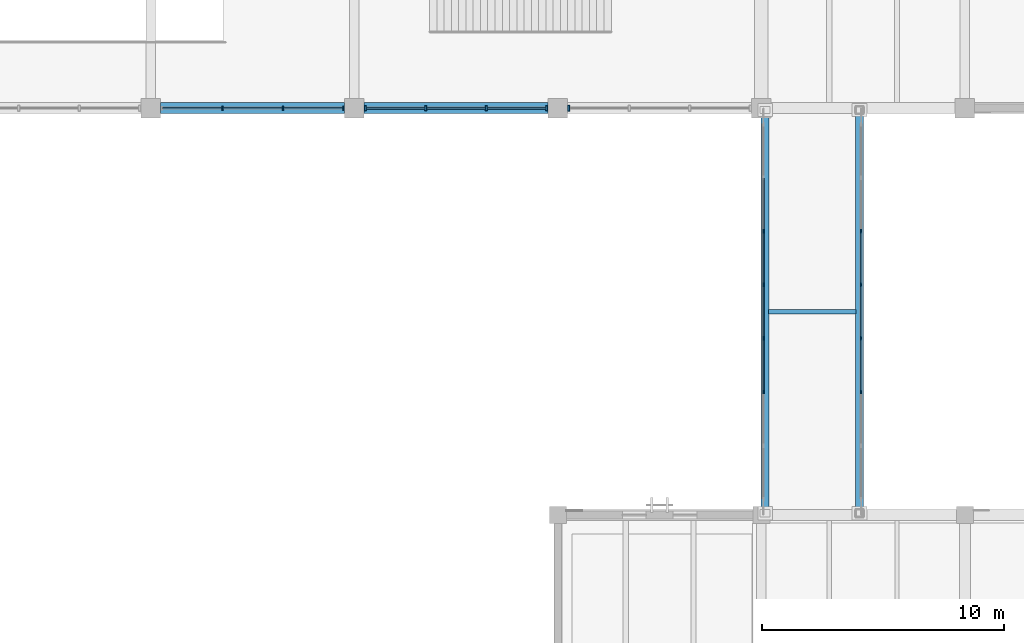
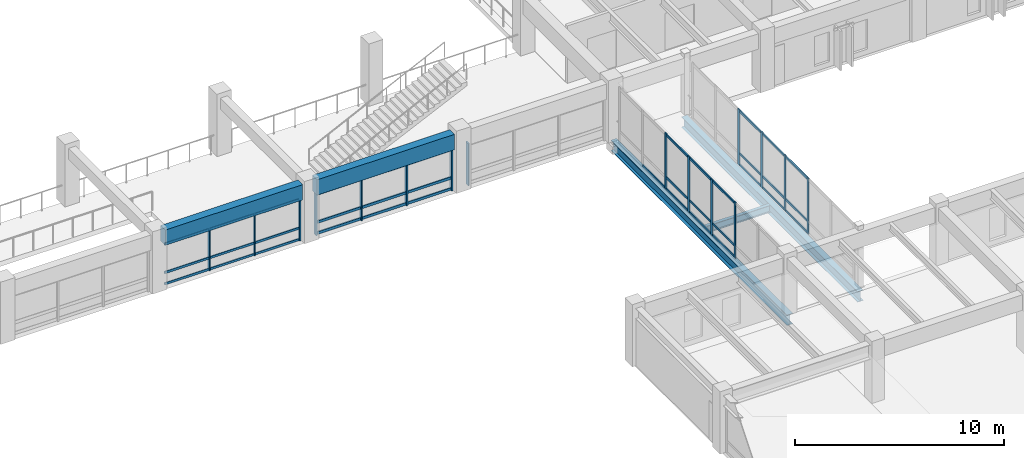
# One storey, part 47 of 118: 53 members, 5 beams, 5 elements without a shape of their own.
"""IFC4 building model written with IfcOpenShell, lengths in metres."""

from ifc_helpers import new_model, si_unit, direction, frame, origin, origin_2d, place, context, subcontext, project, spatial, rectangle, i_section, extrude, material, material_profile, profile_set, type_object, element, aggregate, save


model = new_model("IFC4")

# Units and contexts
model_context = context("Model", 3, precision=1e-05, world=origin(), true_north=direction((0.0, 1.0)))
body_context = subcontext(model_context, "Body", "Model", "MODEL_VIEW")
ifc_project = project(units=[si_unit("LENGTHUNIT", "METRE"), si_unit("AREAUNIT", "SQUARE_METRE"), si_unit("VOLUMEUNIT", "CUBIC_METRE"), si_unit("PLANEANGLEUNIT", "RADIAN"), si_unit("MASSUNIT", "GRAM", prefix="KILO")], contexts=[model_context])

# Site, building, storey
site_placement = place(None, origin())
site = spatial("IfcSite", under=ifc_project, at=site_placement, CompositionType="ELEMENT")
building_placement = place(site_placement, origin())
building = spatial("IfcBuilding", under=site, at=building_placement, Name="Cumbredor Promenade Congress Hotel", CompositionType="ELEMENT")
storey_placement = place(building_placement, frame((0.0, 0.0, 3.919921875)))
storey = spatial("IfcBuildingStorey", under=building, at=storey_placement, Name="L01", CompositionType="ELEMENT", Elevation=3.919921875)

# Beams
ifc_material_1 = material(Name="Steel ASTM A992 Grade 50", Category="steel")
ifc_material_profile_1 = material_profile(ifc_material_1, i_section(OverallWidth=0.323974609375, OverallDepth=0.611083984375, WebThickness=0.0126953125, FlangeThickness=0.01904296875, at=origin_2d()), Name="W24X104")
ifc_profile_set_1 = profile_set([ifc_material_profile_1], Name="Steel ASTM A992 Grade 50")
beam_type_1 = type_object("IfcBeamType", Name="BM-W24X104", PredefinedType="BEAM", material=ifc_profile_set_1)
for number, where, z_axis, x_axis, name in (
    (1, (151.35009765625, 67.159912109375, -0.525390625), (0.0, 1.0, 0.0), (-1.0, 0.0, 0.0), "L01 East Ballroom-to-Forum Glazed Bridge Edge Girder 1"),
    (2, (155.25, 67.159912109375, -0.525390625), (0.0, 1.0, 0.0), (-1.0, 0.0, 0.0), "L01 East Ballroom-to-Forum Glazed Bridge Edge Girder 2"),
):
    element("IfcBeam", number, at=place(storey_placement, frame(where, z_axis=z_axis, x_axis=x_axis)), inside=storey, type_object=beam_type_1, Name=name, PredefinedType="BEAM", context=body_context, shape_type="SweptSolid", body=[
        extrude(i_section(OverallWidth=0.323974609375, OverallDepth=0.611083984375, WebThickness=0.0126953125, FlangeThickness=0.01904296875, at=origin_2d()), origin(), (0.0, 0.0, 1.0), 16.880126953125),
    ])

# Curtain wall, members
ifc_material_2 = material(Name="Thermally broken anodized aluminium and low-E glass", Category="aluminium")
curtain_wall_type_1 = type_object("IfcCurtainWallType", Name="Unitised Forum Curtain Wall CW-02", PredefinedType="NOTDEFINED", material=ifc_material_2)
curtain_wall_1_placement = place(storey_placement, origin())
curtain_wall_1 = element("IfcCurtainWall", 3, at=curtain_wall_1_placement, inside=storey, type_object=curtain_wall_type_1, Name="L01 Pre-Function and Breakout Meeting Forum South Curtain Wall 5", PredefinedType="NOTDEFINED")
ifc_material_3 = material(Name="Thermally broken anodized aluminium", Category="aluminium")
ifc_material_profile_2 = material_profile(ifc_material_3, rectangle(XDim=0.06494140625, YDim=0.159912109375, at=origin_2d()), Name="ALU MULLION 65x160")
ifc_profile_set_2 = profile_set([ifc_material_profile_2], Name="Thermally broken anodized aluminium")
member_type_1 = type_object("IfcMemberType", Name="Curtain Wall Mullion ML-01", PredefinedType="MULLION", material=ifc_profile_set_2)
member_1_placement = place(storey_placement, frame((128.95166015625, 84.0, -0.0078125), z_axis=(0.0, 0.0, 1.0), x_axis=(1.0, 0.0, 0.0)))
member_1 = element("IfcMember", 4, at=member_1_placement, type_object=member_type_1, Name="L01 Pre-Function and Breakout Meeting Forum South Curtain Wall 5 Mullion 2", PredefinedType="MULLION", context=body_context, shape_type="SweptSolid", body=[
    extrude(rectangle(XDim=0.06494140625, YDim=0.159912109375, at=origin_2d()), origin(), (0.0, 0.0, 1.0), 2.4609375),
])
member_2_placement = place(storey_placement, frame((131.4482421875, 84.0, -0.0078125), z_axis=(0.0, 0.0, 1.0), x_axis=(1.0, 0.0, 0.0)))
member_2 = element("IfcMember", 5, at=member_2_placement, type_object=member_type_1, Name="L01 Pre-Function and Breakout Meeting Forum South Curtain Wall 5 Mullion 3", PredefinedType="MULLION", context=body_context, shape_type="SweptSolid", body=[
    extrude(rectangle(XDim=0.06494140625, YDim=0.159912109375, at=origin_2d()), origin(), (0.0, 0.0, 1.0), 2.4609375),
])
member_3_placement = place(storey_placement, frame((133.945068359375, 84.0, -0.0078125), z_axis=(0.0, 0.0, 1.0), x_axis=(1.0, 0.0, 0.0)))
member_3 = element("IfcMember", 6, at=member_3_placement, type_object=member_type_1, Name="L01 Pre-Function and Breakout Meeting Forum South Curtain Wall 5 Mullion 4", PredefinedType="MULLION", context=body_context, shape_type="SweptSolid", body=[
    extrude(rectangle(XDim=0.06494140625, YDim=0.159912109375, at=origin_2d()), origin(), (0.0, 0.0, 1.0), 2.4609375),
])

curtain_wall_type_2 = type_object("IfcCurtainWallType", Name="Unitised Bridge Glazing Screen CW-05", PredefinedType="NOTDEFINED", material=ifc_material_2)
curtain_wall_2_placement = place(storey_placement, origin())
curtain_wall_2 = element("IfcCurtainWall", 7, at=curtain_wall_2_placement, inside=storey, type_object=curtain_wall_type_2, Name="L01 East Ballroom-to-Forum Glazed Bridge West Glazing Screen", PredefinedType="NOTDEFINED")
member_4_placement = place(storey_placement, frame((151.280029296875, 72.282958984375, -0.0078125), z_axis=(0.0, 0.0, 1.0), x_axis=(1.0, 0.0, 0.0)))
member_4 = element("IfcMember", 8, at=member_4_placement, type_object=member_type_1, Name="L01 East Ballroom-to-Forum Glazed Bridge West Glazing Screen Mullion 3", PredefinedType="MULLION", context=body_context, shape_type="SweptSolid", body=[
    extrude(rectangle(XDim=0.06494140625, YDim=0.159912109375, at=origin_2d()), origin(), (0.0, 0.0, 1.0), 3.27587890625),
])
member_5_placement = place(storey_placement, frame((151.280029296875, 74.494384765625, -0.0078125), z_axis=(0.0, 0.0, 1.0), x_axis=(1.0, 0.0, 0.0)))
member_5 = element("IfcMember", 9, at=member_5_placement, type_object=member_type_1, Name="L01 East Ballroom-to-Forum Glazed Bridge West Glazing Screen Mullion 4", PredefinedType="MULLION", context=body_context, shape_type="SweptSolid", body=[
    extrude(rectangle(XDim=0.06494140625, YDim=0.159912109375, at=origin_2d()), origin(), (0.0, 0.0, 1.0), 3.27587890625),
])
member_6_placement = place(storey_placement, frame((151.280029296875, 76.705810546875, -0.0078125), z_axis=(0.0, 0.0, 1.0), x_axis=(1.0, 0.0, 0.0)))
member_6 = element("IfcMember", 10, at=member_6_placement, type_object=member_type_1, Name="L01 East Ballroom-to-Forum Glazed Bridge West Glazing Screen Mullion 5", PredefinedType="MULLION", context=body_context, shape_type="SweptSolid", body=[
    extrude(rectangle(XDim=0.06494140625, YDim=0.159912109375, at=origin_2d()), origin(), (0.0, 0.0, 1.0), 3.27587890625),
])
member_7_placement = place(storey_placement, frame((151.280029296875, 78.9169921875, -0.0078125), z_axis=(0.0, 0.0, 1.0), x_axis=(1.0, 0.0, 0.0)))
member_7 = element("IfcMember", 11, at=member_7_placement, type_object=member_type_1, Name="L01 East Ballroom-to-Forum Glazed Bridge West Glazing Screen Mullion 6", PredefinedType="MULLION", context=body_context, shape_type="SweptSolid", body=[
    extrude(rectangle(XDim=0.06494140625, YDim=0.159912109375, at=origin_2d()), origin(), (0.0, 0.0, 1.0), 3.27587890625),
])

curtain_wall_3_placement = place(storey_placement, origin())
curtain_wall_3 = element("IfcCurtainWall", 12, at=curtain_wall_3_placement, inside=storey, type_object=curtain_wall_type_2, Name="L01 East Ballroom-to-Forum Glazed Bridge East Glazing Screen", PredefinedType="NOTDEFINED")
member_8_placement = place(storey_placement, frame((155.320068359375, 72.282958984375, -0.0078125), z_axis=(0.0, 0.0, 1.0), x_axis=(1.0, 0.0, 0.0)))
member_8 = element("IfcMember", 13, at=member_8_placement, type_object=member_type_1, Name="L01 East Ballroom-to-Forum Glazed Bridge East Glazing Screen Mullion 3", PredefinedType="MULLION", context=body_context, shape_type="SweptSolid", body=[
    extrude(rectangle(XDim=0.06494140625, YDim=0.159912109375, at=origin_2d()), origin(), (0.0, 0.0, 1.0), 3.27587890625),
])
member_9_placement = place(storey_placement, frame((155.320068359375, 74.494384765625, -0.0078125), z_axis=(0.0, 0.0, 1.0), x_axis=(1.0, 0.0, 0.0)))
member_9 = element("IfcMember", 14, at=member_9_placement, type_object=member_type_1, Name="L01 East Ballroom-to-Forum Glazed Bridge East Glazing Screen Mullion 4", PredefinedType="MULLION", context=body_context, shape_type="SweptSolid", body=[
    extrude(rectangle(XDim=0.06494140625, YDim=0.159912109375, at=origin_2d()), origin(), (0.0, 0.0, 1.0), 3.27587890625),
])
member_10_placement = place(storey_placement, frame((155.320068359375, 76.705810546875, -0.0078125), z_axis=(0.0, 0.0, 1.0), x_axis=(1.0, 0.0, 0.0)))
member_10 = element("IfcMember", 15, at=member_10_placement, type_object=member_type_1, Name="L01 East Ballroom-to-Forum Glazed Bridge East Glazing Screen Mullion 5", PredefinedType="MULLION", context=body_context, shape_type="SweptSolid", body=[
    extrude(rectangle(XDim=0.06494140625, YDim=0.159912109375, at=origin_2d()), origin(), (0.0, 0.0, 1.0), 3.27587890625),
])
member_11_placement = place(storey_placement, frame((155.320068359375, 78.9169921875, -0.0078125), z_axis=(0.0, 0.0, 1.0), x_axis=(1.0, 0.0, 0.0)))
member_11 = element("IfcMember", 16, at=member_11_placement, type_object=member_type_1, Name="L01 East Ballroom-to-Forum Glazed Bridge East Glazing Screen Mullion 6", PredefinedType="MULLION", context=body_context, shape_type="SweptSolid", body=[
    extrude(rectangle(XDim=0.06494140625, YDim=0.159912109375, at=origin_2d()), origin(), (0.0, 0.0, 1.0), 3.27587890625),
])

curtain_wall_4_placement = place(storey_placement, origin())
curtain_wall_4 = element("IfcCurtainWall", 17, at=curtain_wall_4_placement, inside=storey, type_object=curtain_wall_type_1, Name="L01 Pre-Function and Breakout Meeting Forum South Curtain Wall 6", PredefinedType="NOTDEFINED")
ifc_material_profile_3 = material_profile(ifc_material_3, rectangle(XDim=0.074951171875, YDim=0.199951171875, at=origin_2d()), Name="ALU MULLION 75x200")
ifc_profile_set_3 = profile_set([ifc_material_profile_3], Name="Thermally broken anodized aluminium")
member_type_2 = type_object("IfcMemberType", Name="Curtain Wall Mullion ML-02", PredefinedType="MULLION", material=ifc_profile_set_3)
member_12_placement = place(storey_placement, frame((134.85498046875, 84.0, -0.0078125), z_axis=(0.0, 0.0, 1.0), x_axis=(1.0, 0.0, 0.0)))
member_12 = element("IfcMember", 18, at=member_12_placement, type_object=member_type_2, Name="L01 Pre-Function and Breakout Meeting Forum South Curtain Wall 6 Mullion 1", PredefinedType="MULLION", context=body_context, shape_type="SweptSolid", body=[
    extrude(rectangle(XDim=0.074951171875, YDim=0.199951171875, at=origin_2d()), origin(), (0.0, 0.0, 1.0), 2.4609375),
])
member_13_placement = place(storey_placement, frame((137.351806640625, 84.0, -0.0078125), z_axis=(0.0, 0.0, 1.0), x_axis=(1.0, 0.0, 0.0)))
member_13 = element("IfcMember", 19, at=member_13_placement, type_object=member_type_2, Name="L01 Pre-Function and Breakout Meeting Forum South Curtain Wall 6 Mullion 2", PredefinedType="MULLION", context=body_context, shape_type="SweptSolid", body=[
    extrude(rectangle(XDim=0.074951171875, YDim=0.199951171875, at=origin_2d()), origin(), (0.0, 0.0, 1.0), 2.4609375),
])
member_14_placement = place(storey_placement, frame((139.848388671875, 84.0, -0.0078125), z_axis=(0.0, 0.0, 1.0), x_axis=(1.0, 0.0, 0.0)))
member_14 = element("IfcMember", 20, at=member_14_placement, type_object=member_type_2, Name="L01 Pre-Function and Breakout Meeting Forum South Curtain Wall 6 Mullion 3", PredefinedType="MULLION", context=body_context, shape_type="SweptSolid", body=[
    extrude(rectangle(XDim=0.074951171875, YDim=0.199951171875, at=origin_2d()), origin(), (0.0, 0.0, 1.0), 2.4609375),
])
member_15_placement = place(storey_placement, frame((142.344970703125, 84.0, -0.0078125), z_axis=(0.0, 0.0, 1.0), x_axis=(1.0, 0.0, 0.0)))
member_15 = element("IfcMember", 21, at=member_15_placement, type_object=member_type_2, Name="L01 Pre-Function and Breakout Meeting Forum South Curtain Wall 6 Mullion 4", PredefinedType="MULLION", context=body_context, shape_type="SweptSolid", body=[
    extrude(rectangle(XDim=0.074951171875, YDim=0.199951171875, at=origin_2d()), origin(), (0.0, 0.0, 1.0), 2.4609375),
])

# Curtain wall, member
curtain_wall_5_placement = place(storey_placement, origin())
curtain_wall_5 = element("IfcCurtainWall", 22, at=curtain_wall_5_placement, inside=storey, type_object=curtain_wall_type_1, Name="L01 Pre-Function and Breakout Meeting Forum South Curtain Wall 7", PredefinedType="NOTDEFINED")
ifc_material_profile_4 = material_profile(ifc_material_3, rectangle(XDim=0.080078125, YDim=0.239990234375, at=origin_2d()), Name="ALU MULLION 80x240")
ifc_profile_set_4 = profile_set([ifc_material_profile_4], Name="Thermally broken anodized aluminium")
member_type_3 = type_object("IfcMemberType", Name="Curtain Wall Mullion ML-03", PredefinedType="MULLION", material=ifc_profile_set_4)
member_16_placement = place(storey_placement, frame((143.2548828125, 84.0, -0.0078125), z_axis=(0.0, 0.0, 1.0), x_axis=(1.0, 0.0, 0.0)))
member_16 = element("IfcMember", 23, at=member_16_placement, type_object=member_type_3, Name="L01 Pre-Function and Breakout Meeting Forum South Curtain Wall 7 Mullion 1", PredefinedType="MULLION", context=body_context, shape_type="SweptSolid", body=[
    extrude(rectangle(XDim=0.080078125, YDim=0.239990234375, at=origin_2d()), origin(), (0.0, 0.0, 1.0), 2.4609375),
])
aggregate(curtain_wall_5, [member_16])

# Member
ifc_material_profile_5 = material_profile(ifc_material_3, rectangle(XDim=0.06494140625, YDim=0.1298828125, at=origin_2d()), Name="ALU TRANSOM 65x130")
ifc_profile_set_5 = profile_set([ifc_material_profile_5], Name="Thermally broken anodized aluminium")
member_type_4 = type_object("IfcMemberType", Name="Curtain Wall Transom TR-01", PredefinedType="USERDEFINED", material=ifc_profile_set_5)
member_17_placement = place(storey_placement, frame((126.487548828125, 84.0, 0.06005859375), z_axis=(1.0, 0.0, 0.0), x_axis=(0.0, 1.0, 0.0)))
member_17 = element("IfcMember", 24, at=member_17_placement, type_object=member_type_4, Name="L01 Pre-Function and Breakout Meeting Forum South Curtain Wall 5 Transom 1.1", ObjectType="TRANSOM", PredefinedType="USERDEFINED", context=body_context, shape_type="SweptSolid", body=[
    extrude(rectangle(XDim=0.06494140625, YDim=0.1298828125, at=origin_2d()), origin(), (0.0, 0.0, 1.0), 2.431640625),
])

member_18_placement = place(storey_placement, frame((126.487548828125, 84.0, 0.719970703125), z_axis=(1.0, 0.0, 0.0), x_axis=(0.0, 1.0, 0.0)))
member_18 = element("IfcMember", 25, at=member_18_placement, type_object=member_type_4, Name="L01 Pre-Function and Breakout Meeting Forum South Curtain Wall 5 Transom 1.2", ObjectType="TRANSOM", PredefinedType="USERDEFINED", context=body_context, shape_type="SweptSolid", body=[
    extrude(rectangle(XDim=0.06494140625, YDim=0.1298828125, at=origin_2d()), origin(), (0.0, 0.0, 1.0), 2.431640625),
])

member_19_placement = place(storey_placement, frame((126.487548828125, 84.0, 2.380126953125), z_axis=(1.0, 0.0, 0.0), x_axis=(0.0, 1.0, 0.0)))
member_19 = element("IfcMember", 26, at=member_19_placement, type_object=member_type_4, Name="L01 Pre-Function and Breakout Meeting Forum South Curtain Wall 5 Transom 1.3", ObjectType="TRANSOM", PredefinedType="USERDEFINED", context=body_context, shape_type="SweptSolid", body=[
    extrude(rectangle(XDim=0.06494140625, YDim=0.1298828125, at=origin_2d()), origin(), (0.0, 0.0, 1.0), 2.431640625),
])

member_20_placement = place(storey_placement, frame((128.984130859375, 84.0, 0.06005859375), z_axis=(1.0, 0.0, 0.0), x_axis=(0.0, 1.0, 0.0)))
member_20 = element("IfcMember", 27, at=member_20_placement, type_object=member_type_4, Name="L01 Pre-Function and Breakout Meeting Forum South Curtain Wall 5 Transom 2.1", ObjectType="TRANSOM", PredefinedType="USERDEFINED", context=body_context, shape_type="SweptSolid", body=[
    extrude(rectangle(XDim=0.06494140625, YDim=0.1298828125, at=origin_2d()), origin(), (0.0, 0.0, 1.0), 2.431640625),
])

member_21_placement = place(storey_placement, frame((128.984130859375, 84.0, 0.719970703125), z_axis=(1.0, 0.0, 0.0), x_axis=(0.0, 1.0, 0.0)))
member_21 = element("IfcMember", 28, at=member_21_placement, type_object=member_type_4, Name="L01 Pre-Function and Breakout Meeting Forum South Curtain Wall 5 Transom 2.2", ObjectType="TRANSOM", PredefinedType="USERDEFINED", context=body_context, shape_type="SweptSolid", body=[
    extrude(rectangle(XDim=0.06494140625, YDim=0.1298828125, at=origin_2d()), origin(), (0.0, 0.0, 1.0), 2.431640625),
])

member_22_placement = place(storey_placement, frame((128.984130859375, 84.0, 2.380126953125), z_axis=(1.0, 0.0, 0.0), x_axis=(0.0, 1.0, 0.0)))
member_22 = element("IfcMember", 29, at=member_22_placement, type_object=member_type_4, Name="L01 Pre-Function and Breakout Meeting Forum South Curtain Wall 5 Transom 2.3", ObjectType="TRANSOM", PredefinedType="USERDEFINED", context=body_context, shape_type="SweptSolid", body=[
    extrude(rectangle(XDim=0.06494140625, YDim=0.1298828125, at=origin_2d()), origin(), (0.0, 0.0, 1.0), 2.431640625),
])

member_23_placement = place(storey_placement, frame((131.480712890625, 84.0, 0.06005859375), z_axis=(1.0, 0.0, 0.0), x_axis=(0.0, 1.0, 0.0)))
member_23 = element("IfcMember", 30, at=member_23_placement, type_object=member_type_4, Name="L01 Pre-Function and Breakout Meeting Forum South Curtain Wall 5 Transom 3.1", ObjectType="TRANSOM", PredefinedType="USERDEFINED", context=body_context, shape_type="SweptSolid", body=[
    extrude(rectangle(XDim=0.06494140625, YDim=0.1298828125, at=origin_2d()), origin(), (0.0, 0.0, 1.0), 2.431884765625),
])

member_24_placement = place(storey_placement, frame((131.480712890625, 84.0, 0.719970703125), z_axis=(1.0, 0.0, 0.0), x_axis=(0.0, 1.0, 0.0)))
member_24 = element("IfcMember", 31, at=member_24_placement, type_object=member_type_4, Name="L01 Pre-Function and Breakout Meeting Forum South Curtain Wall 5 Transom 3.2", ObjectType="TRANSOM", PredefinedType="USERDEFINED", context=body_context, shape_type="SweptSolid", body=[
    extrude(rectangle(XDim=0.06494140625, YDim=0.1298828125, at=origin_2d()), origin(), (0.0, 0.0, 1.0), 2.431884765625),
])

member_25_placement = place(storey_placement, frame((131.480712890625, 84.0, 2.380126953125), z_axis=(1.0, 0.0, 0.0), x_axis=(0.0, 1.0, 0.0)))
member_25 = element("IfcMember", 32, at=member_25_placement, type_object=member_type_4, Name="L01 Pre-Function and Breakout Meeting Forum South Curtain Wall 5 Transom 3.3", ObjectType="TRANSOM", PredefinedType="USERDEFINED", context=body_context, shape_type="SweptSolid", body=[
    extrude(rectangle(XDim=0.06494140625, YDim=0.1298828125, at=origin_2d()), origin(), (0.0, 0.0, 1.0), 2.431884765625),
])

aggregate(curtain_wall_1, [member_1, member_2, member_3, member_17, member_18, member_19, member_20, member_21, member_22, member_23, member_24, member_25])

member_26_placement = place(storey_placement, frame((151.280029296875, 72.3154296875, 0.06005859375), z_axis=(0.0, 1.0, 0.0), x_axis=(-1.0, 0.0, 0.0)))
member_26 = element("IfcMember", 33, at=member_26_placement, type_object=member_type_4, Name="L01 East Ballroom-to-Forum Glazed Bridge West Glazing Screen Transom 3.1", ObjectType="TRANSOM", PredefinedType="USERDEFINED", context=body_context, shape_type="SweptSolid", body=[
    extrude(rectangle(XDim=0.06494140625, YDim=0.1298828125, at=origin_2d()), origin(), (0.0, 0.0, 1.0), 2.146484375),
])

member_27_placement = place(storey_placement, frame((151.280029296875, 72.3154296875, 0.719970703125), z_axis=(0.0, 1.0, 0.0), x_axis=(-1.0, 0.0, 0.0)))
member_27 = element("IfcMember", 34, at=member_27_placement, type_object=member_type_4, Name="L01 East Ballroom-to-Forum Glazed Bridge West Glazing Screen Transom 3.2", ObjectType="TRANSOM", PredefinedType="USERDEFINED", context=body_context, shape_type="SweptSolid", body=[
    extrude(rectangle(XDim=0.06494140625, YDim=0.1298828125, at=origin_2d()), origin(), (0.0, 0.0, 1.0), 2.146484375),
])

member_28_placement = place(storey_placement, frame((151.280029296875, 72.3154296875, 3.190185546875), z_axis=(0.0, 1.0, 0.0), x_axis=(-1.0, 0.0, 0.0)))
member_28 = element("IfcMember", 35, at=member_28_placement, type_object=member_type_4, Name="L01 East Ballroom-to-Forum Glazed Bridge West Glazing Screen Transom 3.3", ObjectType="TRANSOM", PredefinedType="USERDEFINED", context=body_context, shape_type="SweptSolid", body=[
    extrude(rectangle(XDim=0.06494140625, YDim=0.1298828125, at=origin_2d()), origin(), (0.0, 0.0, 1.0), 2.146484375),
])

member_29_placement = place(storey_placement, frame((151.280029296875, 74.52685546875, 0.06005859375), z_axis=(0.0, 1.0, 0.0), x_axis=(-1.0, 0.0, 0.0)))
member_29 = element("IfcMember", 36, at=member_29_placement, type_object=member_type_4, Name="L01 East Ballroom-to-Forum Glazed Bridge West Glazing Screen Transom 4.1", ObjectType="TRANSOM", PredefinedType="USERDEFINED", context=body_context, shape_type="SweptSolid", body=[
    extrude(rectangle(XDim=0.06494140625, YDim=0.1298828125, at=origin_2d()), origin(), (0.0, 0.0, 1.0), 2.146240234375),
])

member_30_placement = place(storey_placement, frame((151.280029296875, 74.52685546875, 0.719970703125), z_axis=(0.0, 1.0, 0.0), x_axis=(-1.0, 0.0, 0.0)))
member_30 = element("IfcMember", 37, at=member_30_placement, type_object=member_type_4, Name="L01 East Ballroom-to-Forum Glazed Bridge West Glazing Screen Transom 4.2", ObjectType="TRANSOM", PredefinedType="USERDEFINED", context=body_context, shape_type="SweptSolid", body=[
    extrude(rectangle(XDim=0.06494140625, YDim=0.1298828125, at=origin_2d()), origin(), (0.0, 0.0, 1.0), 2.146240234375),
])

member_31_placement = place(storey_placement, frame((151.280029296875, 74.52685546875, 3.190185546875), z_axis=(0.0, 1.0, 0.0), x_axis=(-1.0, 0.0, 0.0)))
member_31 = element("IfcMember", 38, at=member_31_placement, type_object=member_type_4, Name="L01 East Ballroom-to-Forum Glazed Bridge West Glazing Screen Transom 4.3", ObjectType="TRANSOM", PredefinedType="USERDEFINED", context=body_context, shape_type="SweptSolid", body=[
    extrude(rectangle(XDim=0.06494140625, YDim=0.1298828125, at=origin_2d()), origin(), (0.0, 0.0, 1.0), 2.146240234375),
])

member_32_placement = place(storey_placement, frame((151.280029296875, 76.73828125, 0.06005859375), z_axis=(0.0, 1.0, 0.0), x_axis=(-1.0, 0.0, 0.0)))
member_32 = element("IfcMember", 39, at=member_32_placement, type_object=member_type_4, Name="L01 East Ballroom-to-Forum Glazed Bridge West Glazing Screen Transom 5.1", ObjectType="TRANSOM", PredefinedType="USERDEFINED", context=body_context, shape_type="SweptSolid", body=[
    extrude(rectangle(XDim=0.06494140625, YDim=0.1298828125, at=origin_2d()), origin(), (0.0, 0.0, 1.0), 2.146240234375),
])

member_33_placement = place(storey_placement, frame((151.280029296875, 76.73828125, 0.719970703125), z_axis=(0.0, 1.0, 0.0), x_axis=(-1.0, 0.0, 0.0)))
member_33 = element("IfcMember", 40, at=member_33_placement, type_object=member_type_4, Name="L01 East Ballroom-to-Forum Glazed Bridge West Glazing Screen Transom 5.2", ObjectType="TRANSOM", PredefinedType="USERDEFINED", context=body_context, shape_type="SweptSolid", body=[
    extrude(rectangle(XDim=0.06494140625, YDim=0.1298828125, at=origin_2d()), origin(), (0.0, 0.0, 1.0), 2.146240234375),
])

member_34_placement = place(storey_placement, frame((151.280029296875, 76.73828125, 3.190185546875), z_axis=(0.0, 1.0, 0.0), x_axis=(-1.0, 0.0, 0.0)))
member_34 = element("IfcMember", 41, at=member_34_placement, type_object=member_type_4, Name="L01 East Ballroom-to-Forum Glazed Bridge West Glazing Screen Transom 5.3", ObjectType="TRANSOM", PredefinedType="USERDEFINED", context=body_context, shape_type="SweptSolid", body=[
    extrude(rectangle(XDim=0.06494140625, YDim=0.1298828125, at=origin_2d()), origin(), (0.0, 0.0, 1.0), 2.146240234375),
])

member_35_placement = place(storey_placement, frame((151.280029296875, 78.94970703125, 0.06005859375), z_axis=(0.0, 1.0, 0.0), x_axis=(-1.0, 0.0, 0.0)))
member_35 = element("IfcMember", 42, at=member_35_placement, type_object=member_type_4, Name="L01 East Ballroom-to-Forum Glazed Bridge West Glazing Screen Transom 6.1", ObjectType="TRANSOM", PredefinedType="USERDEFINED", context=body_context, shape_type="SweptSolid", body=[
    extrude(rectangle(XDim=0.06494140625, YDim=0.1298828125, at=origin_2d()), origin(), (0.0, 0.0, 1.0), 2.146484375),
])

aggregate(curtain_wall_2, [member_4, member_5, member_6, member_7, member_26, member_27, member_28, member_29, member_30, member_31, member_32, member_33, member_34, member_35])

member_36_placement = place(storey_placement, frame((155.320068359375, 72.3154296875, 0.06005859375), z_axis=(0.0, 1.0, 0.0), x_axis=(-1.0, 0.0, 0.0)))
member_36 = element("IfcMember", 43, at=member_36_placement, type_object=member_type_4, Name="L01 East Ballroom-to-Forum Glazed Bridge East Glazing Screen Transom 3.1", ObjectType="TRANSOM", PredefinedType="USERDEFINED", context=body_context, shape_type="SweptSolid", body=[
    extrude(rectangle(XDim=0.06494140625, YDim=0.1298828125, at=origin_2d()), origin(), (0.0, 0.0, 1.0), 2.146484375),
])

member_37_placement = place(storey_placement, frame((155.320068359375, 72.3154296875, 0.719970703125), z_axis=(0.0, 1.0, 0.0), x_axis=(-1.0, 0.0, 0.0)))
member_37 = element("IfcMember", 44, at=member_37_placement, type_object=member_type_4, Name="L01 East Ballroom-to-Forum Glazed Bridge East Glazing Screen Transom 3.2", ObjectType="TRANSOM", PredefinedType="USERDEFINED", context=body_context, shape_type="SweptSolid", body=[
    extrude(rectangle(XDim=0.06494140625, YDim=0.1298828125, at=origin_2d()), origin(), (0.0, 0.0, 1.0), 2.146484375),
])

member_38_placement = place(storey_placement, frame((155.320068359375, 72.3154296875, 3.190185546875), z_axis=(0.0, 1.0, 0.0), x_axis=(-1.0, 0.0, 0.0)))
member_38 = element("IfcMember", 45, at=member_38_placement, type_object=member_type_4, Name="L01 East Ballroom-to-Forum Glazed Bridge East Glazing Screen Transom 3.3", ObjectType="TRANSOM", PredefinedType="USERDEFINED", context=body_context, shape_type="SweptSolid", body=[
    extrude(rectangle(XDim=0.06494140625, YDim=0.1298828125, at=origin_2d()), origin(), (0.0, 0.0, 1.0), 2.146484375),
])

member_39_placement = place(storey_placement, frame((155.320068359375, 74.52685546875, 0.06005859375), z_axis=(0.0, 1.0, 0.0), x_axis=(-1.0, 0.0, 0.0)))
member_39 = element("IfcMember", 46, at=member_39_placement, type_object=member_type_4, Name="L01 East Ballroom-to-Forum Glazed Bridge East Glazing Screen Transom 4.1", ObjectType="TRANSOM", PredefinedType="USERDEFINED", context=body_context, shape_type="SweptSolid", body=[
    extrude(rectangle(XDim=0.06494140625, YDim=0.1298828125, at=origin_2d()), origin(), (0.0, 0.0, 1.0), 2.146240234375),
])

member_40_placement = place(storey_placement, frame((155.320068359375, 74.52685546875, 0.719970703125), z_axis=(0.0, 1.0, 0.0), x_axis=(-1.0, 0.0, 0.0)))
member_40 = element("IfcMember", 47, at=member_40_placement, type_object=member_type_4, Name="L01 East Ballroom-to-Forum Glazed Bridge East Glazing Screen Transom 4.2", ObjectType="TRANSOM", PredefinedType="USERDEFINED", context=body_context, shape_type="SweptSolid", body=[
    extrude(rectangle(XDim=0.06494140625, YDim=0.1298828125, at=origin_2d()), origin(), (0.0, 0.0, 1.0), 2.146240234375),
])

member_41_placement = place(storey_placement, frame((155.320068359375, 74.52685546875, 3.190185546875), z_axis=(0.0, 1.0, 0.0), x_axis=(-1.0, 0.0, 0.0)))
member_41 = element("IfcMember", 48, at=member_41_placement, type_object=member_type_4, Name="L01 East Ballroom-to-Forum Glazed Bridge East Glazing Screen Transom 4.3", ObjectType="TRANSOM", PredefinedType="USERDEFINED", context=body_context, shape_type="SweptSolid", body=[
    extrude(rectangle(XDim=0.06494140625, YDim=0.1298828125, at=origin_2d()), origin(), (0.0, 0.0, 1.0), 2.146240234375),
])

member_42_placement = place(storey_placement, frame((155.320068359375, 76.73828125, 0.06005859375), z_axis=(0.0, 1.0, 0.0), x_axis=(-1.0, 0.0, 0.0)))
member_42 = element("IfcMember", 49, at=member_42_placement, type_object=member_type_4, Name="L01 East Ballroom-to-Forum Glazed Bridge East Glazing Screen Transom 5.1", ObjectType="TRANSOM", PredefinedType="USERDEFINED", context=body_context, shape_type="SweptSolid", body=[
    extrude(rectangle(XDim=0.06494140625, YDim=0.1298828125, at=origin_2d()), origin(), (0.0, 0.0, 1.0), 2.146240234375),
])

member_43_placement = place(storey_placement, frame((155.320068359375, 76.73828125, 0.719970703125), z_axis=(0.0, 1.0, 0.0), x_axis=(-1.0, 0.0, 0.0)))
member_43 = element("IfcMember", 50, at=member_43_placement, type_object=member_type_4, Name="L01 East Ballroom-to-Forum Glazed Bridge East Glazing Screen Transom 5.2", ObjectType="TRANSOM", PredefinedType="USERDEFINED", context=body_context, shape_type="SweptSolid", body=[
    extrude(rectangle(XDim=0.06494140625, YDim=0.1298828125, at=origin_2d()), origin(), (0.0, 0.0, 1.0), 2.146240234375),
])

member_44_placement = place(storey_placement, frame((155.320068359375, 76.73828125, 3.190185546875), z_axis=(0.0, 1.0, 0.0), x_axis=(-1.0, 0.0, 0.0)))
member_44 = element("IfcMember", 51, at=member_44_placement, type_object=member_type_4, Name="L01 East Ballroom-to-Forum Glazed Bridge East Glazing Screen Transom 5.3", ObjectType="TRANSOM", PredefinedType="USERDEFINED", context=body_context, shape_type="SweptSolid", body=[
    extrude(rectangle(XDim=0.06494140625, YDim=0.1298828125, at=origin_2d()), origin(), (0.0, 0.0, 1.0), 2.146240234375),
])

aggregate(curtain_wall_3, [member_8, member_9, member_10, member_11, member_36, member_37, member_38, member_39, member_40, member_41, member_42, member_43, member_44])

ifc_material_profile_6 = material_profile(ifc_material_3, rectangle(XDim=0.074951171875, YDim=0.14990234375, at=origin_2d()), Name="ALU TRANSOM 75x150")
ifc_profile_set_6 = profile_set([ifc_material_profile_6], Name="Thermally broken anodized aluminium")
member_type_5 = type_object("IfcMemberType", Name="Curtain Wall Transom TR-02", PredefinedType="USERDEFINED", material=ifc_profile_set_6)
member_45_placement = place(storey_placement, frame((134.892578125, 84.0, 0.080078125), z_axis=(1.0, 0.0, 0.0), x_axis=(0.0, 1.0, 0.0)))
member_45 = element("IfcMember", 52, at=member_45_placement, type_object=member_type_5, Name="L01 Pre-Function and Breakout Meeting Forum South Curtain Wall 6 Transom 1.1", ObjectType="TRANSOM", PredefinedType="USERDEFINED", context=body_context, shape_type="SweptSolid", body=[
    extrude(rectangle(XDim=0.074951171875, YDim=0.14990234375, at=origin_2d()), origin(), (0.0, 0.0, 1.0), 2.421630859375),
])

member_46_placement = place(storey_placement, frame((134.892578125, 84.0, 0.719970703125), z_axis=(1.0, 0.0, 0.0), x_axis=(0.0, 1.0, 0.0)))
member_46 = element("IfcMember", 53, at=member_46_placement, type_object=member_type_5, Name="L01 Pre-Function and Breakout Meeting Forum South Curtain Wall 6 Transom 1.2", ObjectType="TRANSOM", PredefinedType="USERDEFINED", context=body_context, shape_type="SweptSolid", body=[
    extrude(rectangle(XDim=0.074951171875, YDim=0.14990234375, at=origin_2d()), origin(), (0.0, 0.0, 1.0), 2.421630859375),
])

member_47_placement = place(storey_placement, frame((134.892578125, 84.0, 2.3701171875), z_axis=(1.0, 0.0, 0.0), x_axis=(0.0, 1.0, 0.0)))
member_47 = element("IfcMember", 54, at=member_47_placement, type_object=member_type_5, Name="L01 Pre-Function and Breakout Meeting Forum South Curtain Wall 6 Transom 1.3", ObjectType="TRANSOM", PredefinedType="USERDEFINED", context=body_context, shape_type="SweptSolid", body=[
    extrude(rectangle(XDim=0.074951171875, YDim=0.14990234375, at=origin_2d()), origin(), (0.0, 0.0, 1.0), 2.421630859375),
])

member_48_placement = place(storey_placement, frame((137.38916015625, 84.0, 0.080078125), z_axis=(1.0, 0.0, 0.0), x_axis=(0.0, 1.0, 0.0)))
member_48 = element("IfcMember", 55, at=member_48_placement, type_object=member_type_5, Name="L01 Pre-Function and Breakout Meeting Forum South Curtain Wall 6 Transom 2.1", ObjectType="TRANSOM", PredefinedType="USERDEFINED", context=body_context, shape_type="SweptSolid", body=[
    extrude(rectangle(XDim=0.074951171875, YDim=0.14990234375, at=origin_2d()), origin(), (0.0, 0.0, 1.0), 2.421630859375),
])

member_49_placement = place(storey_placement, frame((137.38916015625, 84.0, 0.719970703125), z_axis=(1.0, 0.0, 0.0), x_axis=(0.0, 1.0, 0.0)))
member_49 = element("IfcMember", 56, at=member_49_placement, type_object=member_type_5, Name="L01 Pre-Function and Breakout Meeting Forum South Curtain Wall 6 Transom 2.2", ObjectType="TRANSOM", PredefinedType="USERDEFINED", context=body_context, shape_type="SweptSolid", body=[
    extrude(rectangle(XDim=0.074951171875, YDim=0.14990234375, at=origin_2d()), origin(), (0.0, 0.0, 1.0), 2.421630859375),
])

member_50_placement = place(storey_placement, frame((137.38916015625, 84.0, 2.3701171875), z_axis=(1.0, 0.0, 0.0), x_axis=(0.0, 1.0, 0.0)))
member_50 = element("IfcMember", 57, at=member_50_placement, type_object=member_type_5, Name="L01 Pre-Function and Breakout Meeting Forum South Curtain Wall 6 Transom 2.3", ObjectType="TRANSOM", PredefinedType="USERDEFINED", context=body_context, shape_type="SweptSolid", body=[
    extrude(rectangle(XDim=0.074951171875, YDim=0.14990234375, at=origin_2d()), origin(), (0.0, 0.0, 1.0), 2.421630859375),
])

member_51_placement = place(storey_placement, frame((139.8857421875, 84.0, 0.080078125), z_axis=(1.0, 0.0, 0.0), x_axis=(0.0, 1.0, 0.0)))
member_51 = element("IfcMember", 58, at=member_51_placement, type_object=member_type_5, Name="L01 Pre-Function and Breakout Meeting Forum South Curtain Wall 6 Transom 3.1", ObjectType="TRANSOM", PredefinedType="USERDEFINED", context=body_context, shape_type="SweptSolid", body=[
    extrude(rectangle(XDim=0.074951171875, YDim=0.14990234375, at=origin_2d()), origin(), (0.0, 0.0, 1.0), 2.421875),
])

member_52_placement = place(storey_placement, frame((139.8857421875, 84.0, 0.719970703125), z_axis=(1.0, 0.0, 0.0), x_axis=(0.0, 1.0, 0.0)))
member_52 = element("IfcMember", 59, at=member_52_placement, type_object=member_type_5, Name="L01 Pre-Function and Breakout Meeting Forum South Curtain Wall 6 Transom 3.2", ObjectType="TRANSOM", PredefinedType="USERDEFINED", context=body_context, shape_type="SweptSolid", body=[
    extrude(rectangle(XDim=0.074951171875, YDim=0.14990234375, at=origin_2d()), origin(), (0.0, 0.0, 1.0), 2.421875),
])

member_53_placement = place(storey_placement, frame((139.8857421875, 84.0, 2.3701171875), z_axis=(1.0, 0.0, 0.0), x_axis=(0.0, 1.0, 0.0)))
member_53 = element("IfcMember", 60, at=member_53_placement, type_object=member_type_5, Name="L01 Pre-Function and Breakout Meeting Forum South Curtain Wall 6 Transom 3.3", ObjectType="TRANSOM", PredefinedType="USERDEFINED", context=body_context, shape_type="SweptSolid", body=[
    extrude(rectangle(XDim=0.074951171875, YDim=0.14990234375, at=origin_2d()), origin(), (0.0, 0.0, 1.0), 2.421875),
])

aggregate(curtain_wall_4, [member_12, member_13, member_14, member_15, member_45, member_46, member_47, member_48, member_49, member_50, member_51, member_52, member_53])

# Beams
ifc_material_profile_7 = material_profile(ifc_material_1, i_section(OverallWidth=0.180908203125, OverallDepth=0.4169921875, WebThickness=0.010986328125, FlangeThickness=0.018310546875, at=origin_2d()), Name="W16X57")
ifc_profile_set_7 = profile_set([ifc_material_profile_7], Name="Steel ASTM A992 Grade 50")
beam_type_2 = type_object("IfcBeamType", Name="JST-W16X57", PredefinedType="JOIST", material=ifc_profile_set_7)
beam_1_placement = place(storey_placement, frame((151.5, 75.60009765625, -0.428466796875), z_axis=(1.0, 0.0, 0.0), x_axis=(0.0, 1.0, 0.0)))
element("IfcBeam", 61, at=beam_1_placement, inside=storey, type_object=beam_type_2, Name="L01 East Ballroom-to-Forum Glazed Bridge Cross Beam", PredefinedType="JOIST", context=body_context, shape_type="SweptSolid", body=[
    extrude(i_section(OverallWidth=0.180908203125, OverallDepth=0.4169921875, WebThickness=0.010986328125, FlangeThickness=0.018310546875, at=origin_2d()), origin(), (0.0, 0.0, 1.0), 3.60009765625),
])
ifc_material_4 = material(Name="Concrete C40/50", Category="concrete")
ifc_material_profile_8 = material_profile(ifc_material_4, rectangle(XDim=0.449951171875, YDim=0.89990234375, at=origin_2d()), Name="RC SPANDREL 450x900")
ifc_profile_set_8 = profile_set([ifc_material_profile_8], Name="Concrete C40/50")
beam_type_3 = type_object("IfcBeamType", Name="SP-RC-450x900", PredefinedType="SPANDREL", material=ifc_profile_set_8)
beam_2_placement = place(storey_placement, frame((126.39990234375, 84.0, 2.91015625), z_axis=(1.0, 0.0, 0.0), x_axis=(0.0, 1.0, 0.0)))
element("IfcBeam", 62, at=beam_2_placement, inside=storey, type_object=beam_type_3, Name="L02 X-Grid Beam 212", PredefinedType="SPANDREL", context=body_context, shape_type="SweptSolid", body=[
    extrude(rectangle(XDim=0.449951171875, YDim=0.89990234375, at=origin_2d()), origin(), (0.0, 0.0, 1.0), 7.60009765625),
])
beam_3_placement = place(storey_placement, frame((134.800048828125, 84.0, 2.91015625), z_axis=(1.0, 0.0, 0.0), x_axis=(0.0, 1.0, 0.0)))
element("IfcBeam", 63, at=beam_3_placement, inside=storey, type_object=beam_type_3, Name="L02 X-Grid Beam 216", PredefinedType="SPANDREL", context=body_context, shape_type="SweptSolid", body=[
    extrude(rectangle(XDim=0.449951171875, YDim=0.89990234375, at=origin_2d()), origin(), (0.0, 0.0, 1.0), 7.599853515625),
])

save(model, "model.ifc")
